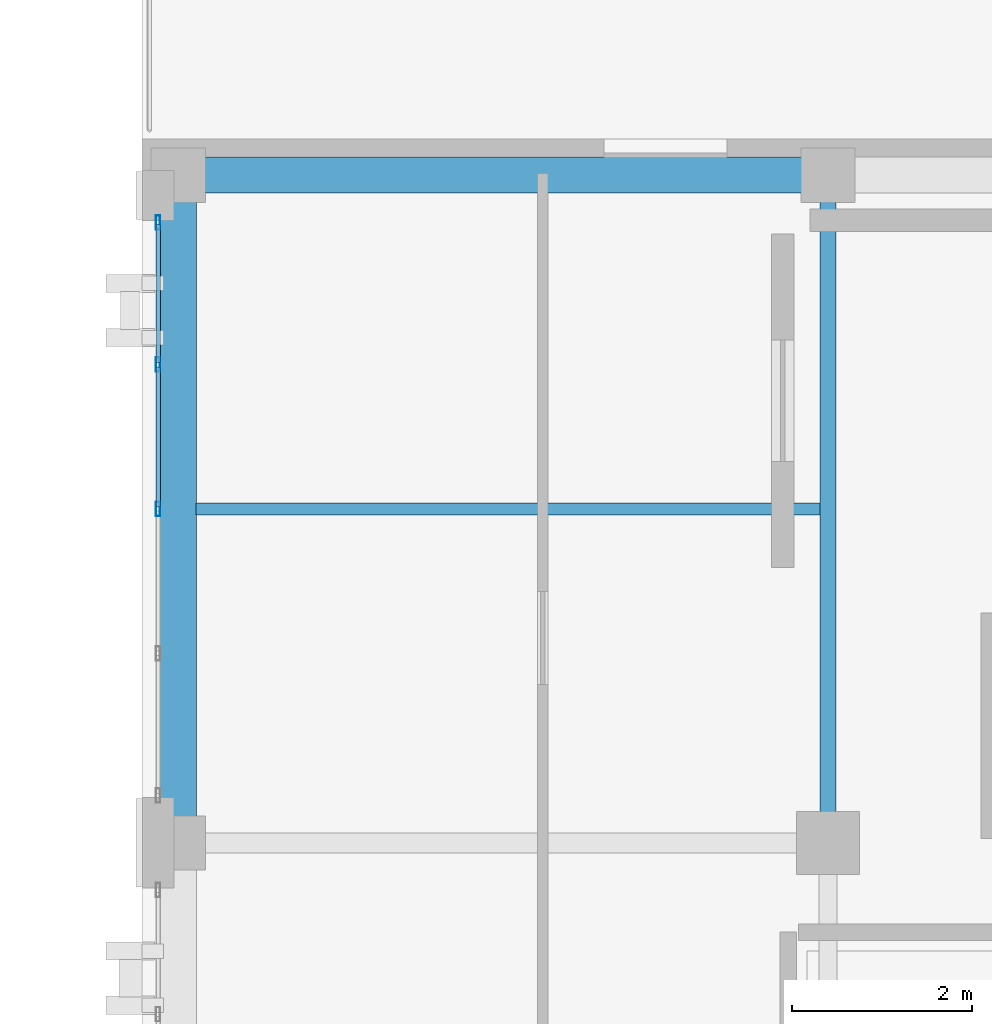
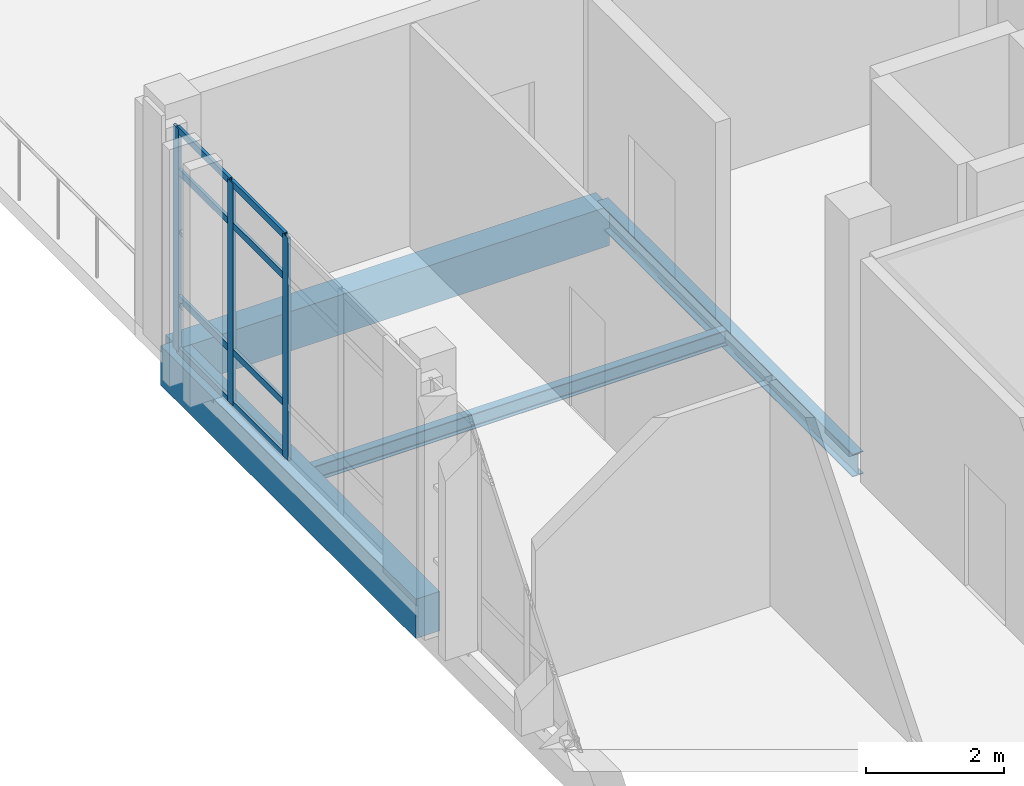
# One storey, part 25 of 48: 11 members, 4 beams, 1 element without a shape of its own.
"""IFC4 building model written with IfcOpenShell, lengths in metres."""

from ifc_helpers import new_model, si_unit, direction, frame, origin, origin_2d, place, context, subcontext, project, spatial, rectangle, hollow_rectangle, i_section, extrude, material, layer, layer_set, material_profile, profile_set, type_object, element, aggregate, save


model = new_model("IFC4")

# Units and contexts
model_context = context("Model", 3, precision=1e-05, world=origin(), true_north=direction((0.0, 1.0)))
body_context = subcontext(model_context, "Body", "Model", "MODEL_VIEW")
ifc_project = project(units=[si_unit("LENGTHUNIT", "METRE"), si_unit("AREAUNIT", "SQUARE_METRE"), si_unit("VOLUMEUNIT", "CUBIC_METRE"), si_unit("PLANEANGLEUNIT", "RADIAN"), si_unit("MASSUNIT", "GRAM", prefix="KILO")], contexts=[model_context])

# Site, building, storey
site_placement = place(None, origin())
site = spatial("IfcSite", under=ifc_project, at=site_placement, CompositionType="ELEMENT")
building_placement = place(site_placement, origin())
building = spatial("IfcBuilding", under=site, at=building_placement, Name="Qalavern Law Courts", CompositionType="ELEMENT")
storey_placement = place(building_placement, frame((0.0, 0.0, 31.199951171875)))
storey = spatial("IfcBuildingStorey", under=building, at=storey_placement, Name="L07", CompositionType="ELEMENT", Elevation=31.199951171875)

# Curtain wall, members
ifc_material_1 = material(Name="Anodised aluminium and insulated glazing", Category="aluminium")
ifc_layer = layer(ifc_material_1, 0.159912109375)
ifc_layer_set = layer_set([ifc_layer], Name="Anodised aluminium and insulated glazing")
curtain_wall_type = type_object("IfcCurtainWallType", Name="ENV-CW-CHAMB", PredefinedType="USERDEFINED", material=ifc_layer_set)
curtain_wall_placement = place(storey_placement, origin())
curtain_wall = element("IfcCurtainWall", 1, at=curtain_wall_placement, inside=storey, type_object=curtain_wall_type, Name="V4 unitised curtain wall L07 west 1", ObjectType="UNITISED CURTAIN WALL", PredefinedType="USERDEFINED")
ifc_material_2 = material(Name="Anodised aluminium", Category="aluminium")
ifc_material_profile_1 = material_profile(ifc_material_2, hollow_rectangle(XDim=0.048095703125, YDim=0.159912109375, WallThickness=0.00390625, at=origin_2d()), Name="ALU MULLION 48x160")
ifc_profile_set_1 = profile_set([ifc_material_profile_1], Name="Anodised aluminium")
member_type_1 = type_object("IfcMemberType", Name="ENV-CWM-48x160", PredefinedType="MULLION", material=ifc_profile_set_1)
member_1_placement = place(storey_placement, frame((84.37744140625, 72.27587890625, 0.0), z_axis=(0.0, 0.0, 1.0), x_axis=(1.0, 0.0, 0.0)))
member_1 = element("IfcMember", 2, at=member_1_placement, type_object=member_type_1, Name="CW-04 mullion 1", PredefinedType="MULLION", context=body_context, shape_type="SweptSolid", body=[
    extrude(hollow_rectangle(XDim=0.048095703125, YDim=0.159912109375, WallThickness=0.00390625, at=origin_2d()), origin(), (0.0, 0.0, 1.0), 3.93994140625),
])
member_2_placement = place(storey_placement, frame((84.37744140625, 70.699951171875, 0.0), z_axis=(0.0, 0.0, 1.0), x_axis=(1.0, 0.0, 0.0)))
member_2 = element("IfcMember", 3, at=member_2_placement, type_object=member_type_1, Name="CW-04 mullion 2", PredefinedType="MULLION", context=body_context, shape_type="SweptSolid", body=[
    extrude(hollow_rectangle(XDim=0.048095703125, YDim=0.159912109375, WallThickness=0.00390625, at=origin_2d()), origin(), (0.0, 0.0, 1.0), 3.93994140625),
])
member_3_placement = place(storey_placement, frame((84.37744140625, 69.10009765625, 0.0), z_axis=(0.0, 0.0, 1.0), x_axis=(1.0, 0.0, 0.0)))
member_3 = element("IfcMember", 4, at=member_3_placement, type_object=member_type_1, Name="CW-04 mullion 3", PredefinedType="MULLION", context=body_context, shape_type="SweptSolid", body=[
    extrude(hollow_rectangle(XDim=0.048095703125, YDim=0.159912109375, WallThickness=0.00390625, at=origin_2d()), origin(), (0.0, 0.0, 1.0), 3.93994140625),
])
ifc_material_profile_2 = material_profile(ifc_material_2, hollow_rectangle(XDim=0.048095703125, YDim=0.1201171875, WallThickness=0.00390625, at=origin_2d()), Name="ALU TRANSOM 48x120")
ifc_profile_set_2 = profile_set([ifc_material_profile_2], Name="Anodised aluminium")
member_type_2 = type_object("IfcMemberType", Name="ENV-CWT-48x120", PredefinedType="USERDEFINED", material=ifc_profile_set_2)
member_4_placement = place(storey_placement, frame((84.37744140625, 72.251953125, 0.024169921875), z_axis=(0.0, -1.0, 0.0), x_axis=(1.0, 0.0, 0.0)))
member_4 = element("IfcMember", 5, at=member_4_placement, type_object=member_type_2, Name="CW-04 transom 1.1", ObjectType="TRANSOM", PredefinedType="USERDEFINED", context=body_context, shape_type="SweptSolid", body=[
    extrude(hollow_rectangle(XDim=0.048095703125, YDim=0.1201171875, WallThickness=0.00390625, at=origin_2d()), origin(), (0.0, 0.0, 1.0), 1.52783203125),
])
member_5_placement = place(storey_placement, frame((84.37744140625, 72.251953125, 0.949951171875), z_axis=(0.0, -1.0, 0.0), x_axis=(1.0, 0.0, 0.0)))
member_5 = element("IfcMember", 6, at=member_5_placement, type_object=member_type_2, Name="CW-04 transom 1.2", ObjectType="TRANSOM", PredefinedType="USERDEFINED", context=body_context, shape_type="SweptSolid", body=[
    extrude(hollow_rectangle(XDim=0.048095703125, YDim=0.1201171875, WallThickness=0.00390625, at=origin_2d()), origin(), (0.0, 0.0, 1.0), 1.52783203125),
])
member_6_placement = place(storey_placement, frame((84.37744140625, 72.251953125, 3.18994140625), z_axis=(0.0, -1.0, 0.0), x_axis=(1.0, 0.0, 0.0)))
member_6 = element("IfcMember", 7, at=member_6_placement, type_object=member_type_2, Name="CW-04 transom 1.3", ObjectType="TRANSOM", PredefinedType="USERDEFINED", context=body_context, shape_type="SweptSolid", body=[
    extrude(hollow_rectangle(XDim=0.048095703125, YDim=0.1201171875, WallThickness=0.00390625, at=origin_2d()), origin(), (0.0, 0.0, 1.0), 1.52783203125),
])
member_7_placement = place(storey_placement, frame((84.37744140625, 72.251953125, 3.916015625), z_axis=(0.0, -1.0, 0.0), x_axis=(1.0, 0.0, 0.0)))
member_7 = element("IfcMember", 8, at=member_7_placement, type_object=member_type_2, Name="CW-04 transom 1.4", ObjectType="TRANSOM", PredefinedType="USERDEFINED", context=body_context, shape_type="SweptSolid", body=[
    extrude(hollow_rectangle(XDim=0.048095703125, YDim=0.1201171875, WallThickness=0.00390625, at=origin_2d()), origin(), (0.0, 0.0, 1.0), 1.52783203125),
])
member_8_placement = place(storey_placement, frame((84.37744140625, 70.676025390625, 0.024169921875), z_axis=(0.0, -1.0, 0.0), x_axis=(1.0, 0.0, 0.0)))
member_8 = element("IfcMember", 9, at=member_8_placement, type_object=member_type_2, Name="CW-04 transom 2.1", ObjectType="TRANSOM", PredefinedType="USERDEFINED", context=body_context, shape_type="SweptSolid", body=[
    extrude(hollow_rectangle(XDim=0.048095703125, YDim=0.1201171875, WallThickness=0.00390625, at=origin_2d()), origin(), (0.0, 0.0, 1.0), 1.552001953125),
])
member_9_placement = place(storey_placement, frame((84.37744140625, 70.676025390625, 0.949951171875), z_axis=(0.0, -1.0, 0.0), x_axis=(1.0, 0.0, 0.0)))
member_9 = element("IfcMember", 10, at=member_9_placement, type_object=member_type_2, Name="CW-04 transom 2.2", ObjectType="TRANSOM", PredefinedType="USERDEFINED", context=body_context, shape_type="SweptSolid", body=[
    extrude(hollow_rectangle(XDim=0.048095703125, YDim=0.1201171875, WallThickness=0.00390625, at=origin_2d()), origin(), (0.0, 0.0, 1.0), 1.552001953125),
])
member_10_placement = place(storey_placement, frame((84.37744140625, 70.676025390625, 3.18994140625), z_axis=(0.0, -1.0, 0.0), x_axis=(1.0, 0.0, 0.0)))
member_10 = element("IfcMember", 11, at=member_10_placement, type_object=member_type_2, Name="CW-04 transom 2.3", ObjectType="TRANSOM", PredefinedType="USERDEFINED", context=body_context, shape_type="SweptSolid", body=[
    extrude(hollow_rectangle(XDim=0.048095703125, YDim=0.1201171875, WallThickness=0.00390625, at=origin_2d()), origin(), (0.0, 0.0, 1.0), 1.552001953125),
])
member_11_placement = place(storey_placement, frame((84.37744140625, 70.676025390625, 3.916015625), z_axis=(0.0, -1.0, 0.0), x_axis=(1.0, 0.0, 0.0)))
member_11 = element("IfcMember", 12, at=member_11_placement, type_object=member_type_2, Name="CW-04 transom 2.4", ObjectType="TRANSOM", PredefinedType="USERDEFINED", context=body_context, shape_type="SweptSolid", body=[
    extrude(hollow_rectangle(XDim=0.048095703125, YDim=0.1201171875, WallThickness=0.00390625, at=origin_2d()), origin(), (0.0, 0.0, 1.0), 1.552001953125),
])
aggregate(curtain_wall, [member_1, member_2, member_3, member_4, member_5, member_6, member_7, member_8, member_9, member_10, member_11])

# Beams
ifc_material_3 = material(Name="Steel S355", Category="steel")
ifc_material_profile_3 = material_profile(ifc_material_3, i_section(OverallWidth=0.179931640625, OverallDepth=0.39990234375, WebThickness=0.008544921875, FlangeThickness=0.013427734375, FilletRadius=0.02099609375, at=origin_2d()), Name="IPE 400")
ifc_profile_set_3 = profile_set([ifc_material_profile_3], Name="Steel S355")
beam_type_1 = type_object("IfcBeamType", Name="STR-BM-IPE400", PredefinedType="BEAM", material=ifc_profile_set_3)
beam_1_placement = place(storey_placement, frame((91.800048828125, 65.39990234375, -0.46484375), z_axis=(0.0, 1.0, 0.0), x_axis=(-1.0, 0.0, 0.0)))
element("IfcBeam", 13, at=beam_1_placement, inside=storey, type_object=beam_type_1, Name="V4 Y-beam 2-3 L07", PredefinedType="BEAM", context=body_context, shape_type="SweptSolid", body=[
    extrude(i_section(OverallWidth=0.179931640625, OverallDepth=0.39990234375, WebThickness=0.008544921875, FlangeThickness=0.013427734375, FilletRadius=0.02099609375, at=origin_2d()), origin(), (0.0, 0.0, 1.0), 7.400146484375),
])
ifc_material_profile_4 = material_profile(ifc_material_3, i_section(OverallWidth=0.135009765625, OverallDepth=0.27001953125, WebThickness=0.006591796875, FlangeThickness=0.01025390625, FilletRadius=0.014892578125, at=origin_2d()), Name="IPE 270")
ifc_profile_set_4 = profile_set([ifc_material_profile_4], Name="Steel S355")
beam_type_2 = type_object("IfcBeamType", Name="STR-JST-IPE270", PredefinedType="JOIST", material=ifc_profile_set_4)
beam_2_placement = place(storey_placement, frame((84.798095703125, 69.10009765625, -0.39990234375), z_axis=(1.0, 0.0, 0.0), x_axis=(0.0, 1.0, 0.0)))
element("IfcBeam", 14, at=beam_2_placement, inside=storey, type_object=beam_type_2, Name="V4 secondary joist 1.4.1 L07", PredefinedType="JOIST", context=body_context, shape_type="SweptSolid", body=[
    extrude(i_section(OverallWidth=0.135009765625, OverallDepth=0.27001953125, WebThickness=0.006591796875, FlangeThickness=0.01025390625, FilletRadius=0.014892578125, at=origin_2d()), origin(), (0.0, 0.0, 1.0), 6.913818359375),
])
ifc_material_4 = material(Name="Concrete C40/50", Category="concrete")
ifc_material_profile_5 = material_profile(ifc_material_4, rectangle(XDim=0.39990234375, YDim=0.699951171875, at=origin_2d()), Name="RC 400x700")
ifc_profile_set_5 = profile_set([ifc_material_profile_5], Name="Concrete C40/50")
beam_type_3 = type_object("IfcBeamType", Name="STR-SP-RC400x700", PredefinedType="SPANDREL", material=ifc_profile_set_5)
beam_3_placement = place(storey_placement, frame((84.60009765625, 72.800048828125, -0.614990234375), z_axis=(1.0, 0.0, 0.0), x_axis=(0.0, 1.0, 0.0)))
element("IfcBeam", 15, at=beam_3_placement, inside=storey, type_object=beam_type_3, Name="V4 X-beam 5-1 L07", PredefinedType="SPANDREL", context=body_context, shape_type="SweptSolid", body=[
    extrude(rectangle(XDim=0.39990234375, YDim=0.699951171875, at=origin_2d()), origin(), (0.0, 0.0, 1.0), 7.199951171875),
])
beam_4_placement = place(storey_placement, frame((84.60009765625, 65.39990234375, -0.614990234375), z_axis=(0.0, 1.0, 0.0), x_axis=(-1.0, 0.0, 0.0)))
element("IfcBeam", 16, at=beam_4_placement, inside=storey, type_object=beam_type_3, Name="V4 Y-beam 1-4 L07", PredefinedType="SPANDREL", context=body_context, shape_type="SweptSolid", body=[
    extrude(rectangle(XDim=0.39990234375, YDim=0.699951171875, at=origin_2d()), origin(), (0.0, 0.0, 1.0), 7.400146484375),
])

save(model, "model.ifc")
